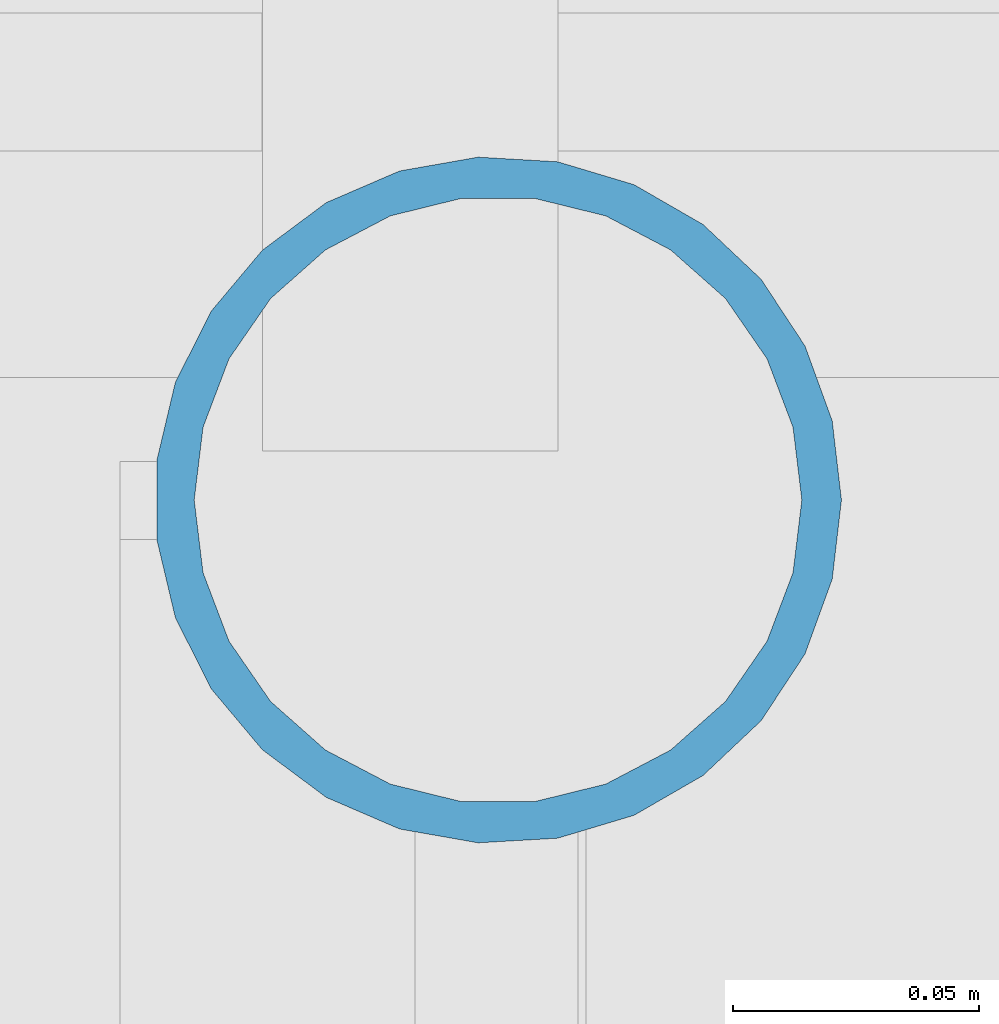
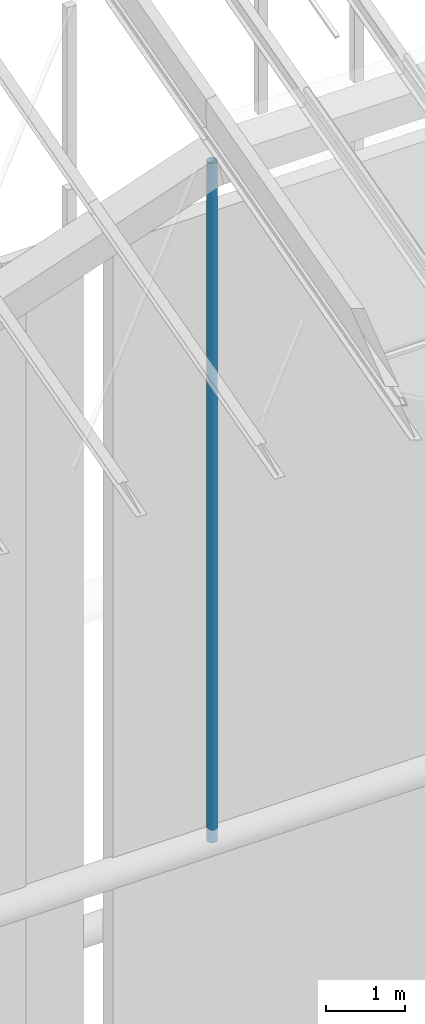
# One storey, part 56 of 126: 1 member.
"""IFC4 building model written with IfcOpenShell, lengths in metres."""

from ifc_helpers import new_model, si_unit, direction, frame, origin, origin_2d, place, context, subcontext, project, spatial, hollow_circle, extrude, material, material_profile, profile_set, type_object, element, save


model = new_model("IFC4")

# Units and contexts
model_context = context("Model", 3, precision=1e-05, world=origin(), true_north=direction((0.0, 1.0)))
body_context = subcontext(model_context, "Body", "Model", "MODEL_VIEW")
ifc_project = project(units=[si_unit("LENGTHUNIT", "METRE"), si_unit("AREAUNIT", "SQUARE_METRE"), si_unit("VOLUMEUNIT", "CUBIC_METRE"), si_unit("PLANEANGLEUNIT", "RADIAN"), si_unit("MASSUNIT", "GRAM", prefix="KILO")], contexts=[model_context])

# Site, building, storey
site_placement = place(None, origin())
site = spatial("IfcSite", under=ifc_project, at=site_placement, CompositionType="ELEMENT")
building_placement = place(site_placement, origin())
building = spatial("IfcBuilding", under=site, at=building_placement, Name="Sava Quay Ferry Terminal", CompositionType="ELEMENT")
storey_placement = place(building_placement, frame((0.0, 0.0, 15.0)))
storey = spatial("IfcBuildingStorey", under=building, at=storey_placement, Name="L03", CompositionType="ELEMENT", Elevation=15.0)

# Member
ifc_material = material(Name="Steel S355", Category="steel")
ifc_material_profile = material_profile(ifc_material, hollow_circle(Radius=0.06982421875, WallThickness=0.008056640625, at=origin_2d()), Name="CHS 139.7 x 8.0")
ifc_profile_set = profile_set([ifc_material_profile], Name="Steel S355")
member_type = type_object("IfcMemberType", Name="Tie hanger CHS 139.7x8", PredefinedType="USERDEFINED", material=ifc_profile_set)
member_placement = place(storey_placement, frame((60.89990234375, 100.800048828125, 15.625), z_axis=(0.0, 0.0, 1.0), x_axis=(1.0, 0.0, 0.0)))
element("IfcMember", 1, at=member_placement, inside=storey, type_object=member_type, Name="Departure hall tie hanger R6 V2", ObjectType="TIE HANGER", PredefinedType="USERDEFINED", context=body_context, shape_type="SweptSolid", body=[
    extrude(hollow_circle(Radius=0.06982421875, WallThickness=0.008056640625, at=origin_2d()), origin(), (0.0, 0.0, 1.0), 10.497314453125),
])

save(model, "model.ifc")
